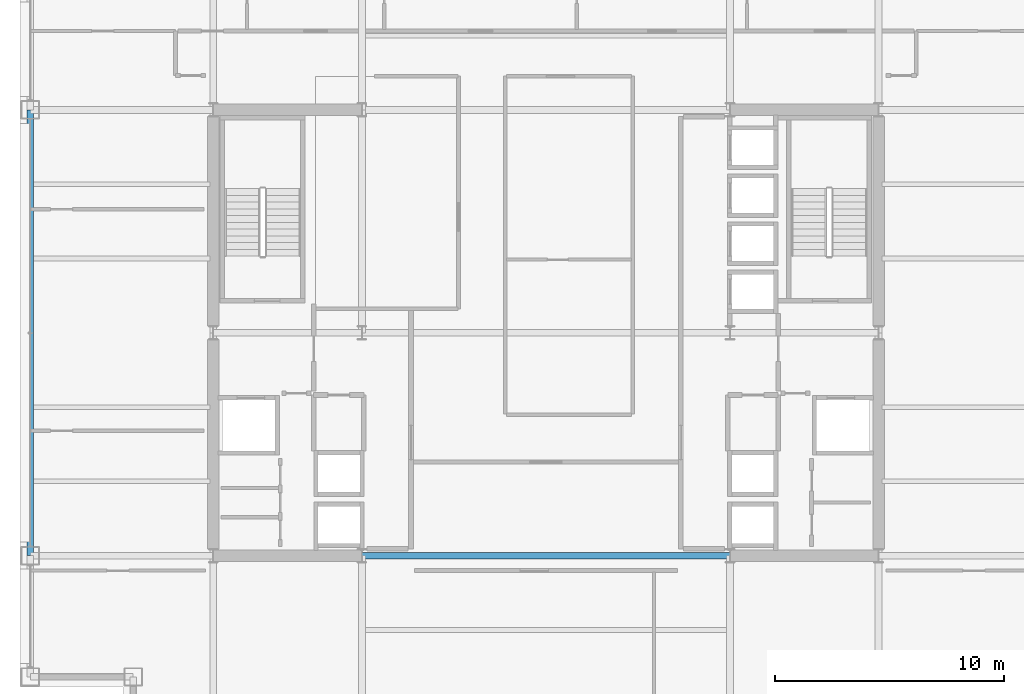
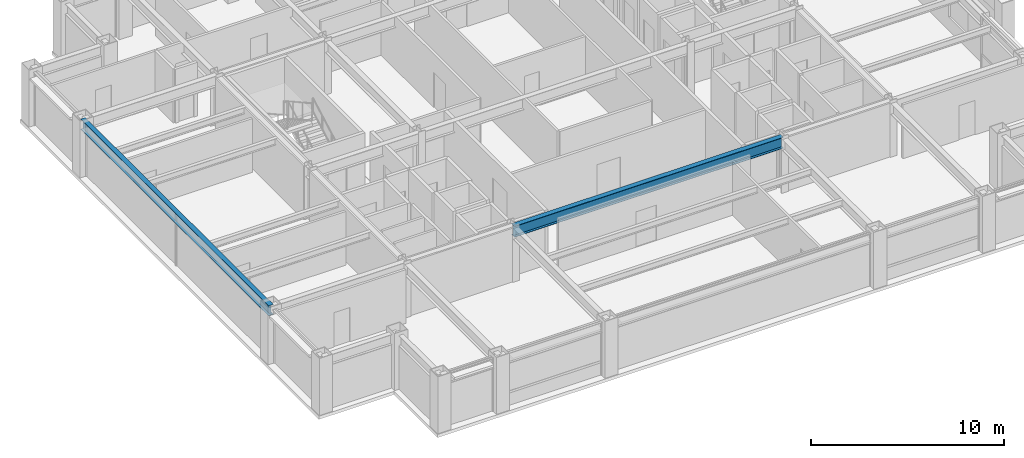
# One storey, part 7 of 29: 2 beams.
"""IFC4 building model written with IfcOpenShell, lengths in metres."""

from ifc_helpers import new_model, si_unit, direction, frame, origin, origin_2d, place, context, subcontext, project, spatial, i_section, extrude, material, material_profile, profile_set, type_object, element, save


model = new_model("IFC4")

# Units and contexts
model_context = context("Model", 3, precision=1e-05, world=origin(), true_north=direction((0.0, 1.0)))
body_context = subcontext(model_context, "Body", "Model", "MODEL_VIEW")
ifc_project = project(units=[si_unit("LENGTHUNIT", "METRE"), si_unit("AREAUNIT", "SQUARE_METRE"), si_unit("VOLUMEUNIT", "CUBIC_METRE"), si_unit("PLANEANGLEUNIT", "RADIAN"), si_unit("MASSUNIT", "GRAM", prefix="KILO")], contexts=[model_context])

# Site, building, storey
site_placement = place(None, origin())
site = spatial("IfcSite", under=ifc_project, at=site_placement, CompositionType="ELEMENT")
building_placement = place(site_placement, origin())
building = spatial("IfcBuilding", under=site, at=building_placement, Name="Brelmoor Portico Tower", CompositionType="ELEMENT")
storey_placement = place(building_placement, frame((0.0, 0.0, 135.0)))
storey = spatial("IfcBuildingStorey", under=building, at=storey_placement, Name="L35", CompositionType="ELEMENT", Elevation=135.0)

# Beams
ifc_material = material(Name="Steel Q355B", Category="steel")
ifc_material_profile_1 = material_profile(ifc_material, i_section(OverallWidth=0.300048828125, OverallDepth=0.699951171875, WebThickness=0.012939453125, FlangeThickness=0.02392578125, at=origin_2d()), Name="HN 700x300x13x24")
ifc_profile_set_1 = profile_set([ifc_material_profile_1], Name="Steel Q355B")
beam_type_1 = type_object("IfcBeamType", Name="BM-PG-700", PredefinedType="BEAM", material=ifc_profile_set_1)
beam_1_placement = place(storey_placement, frame((-8.050048828125, -9.75, 3.050048828125), z_axis=(1.0, 0.0, 0.0), x_axis=(0.0, 1.0, 0.0)))
element("IfcBeam", 1, at=beam_1_placement, inside=storey, type_object=beam_type_1, Name="L35 Primary Floor Girder PG-16", PredefinedType="BEAM", context=body_context, shape_type="SweptSolid", body=[
    extrude(i_section(OverallWidth=0.300048828125, OverallDepth=0.699951171875, WebThickness=0.012939453125, FlangeThickness=0.02392578125, at=origin_2d()), origin(), (0.0, 0.0, 1.0), 16.10009765625),
])
ifc_material_profile_2 = material_profile(ifc_material, i_section(OverallWidth=0.280029296875, OverallDepth=0.64990234375, WebThickness=0.012939453125, FlangeThickness=0.02197265625, at=origin_2d()), Name="HN 650x280x13x22")
ifc_profile_set_2 = profile_set([ifc_material_profile_2], Name="Steel Q355B")
beam_type_2 = type_object("IfcBeamType", Name="BM-SP-650", PredefinedType="SPANDREL", material=ifc_profile_set_2)
beam_2_placement = place(storey_placement, frame((-22.550048828125, -9.75, 3.074951171875), z_axis=(0.0, 1.0, 0.0), x_axis=(-1.0, 0.0, 0.0)))
element("IfcBeam", 2, at=beam_2_placement, inside=storey, type_object=beam_type_2, Name="L35 Perimeter Spandrel Beam SP-16", PredefinedType="SPANDREL", context=body_context, shape_type="SweptSolid", body=[
    extrude(i_section(OverallWidth=0.280029296875, OverallDepth=0.64990234375, WebThickness=0.012939453125, FlangeThickness=0.02197265625, at=origin_2d()), origin(), (0.0, 0.0, 1.0), 19.5),
])

save(model, "model.ifc")
